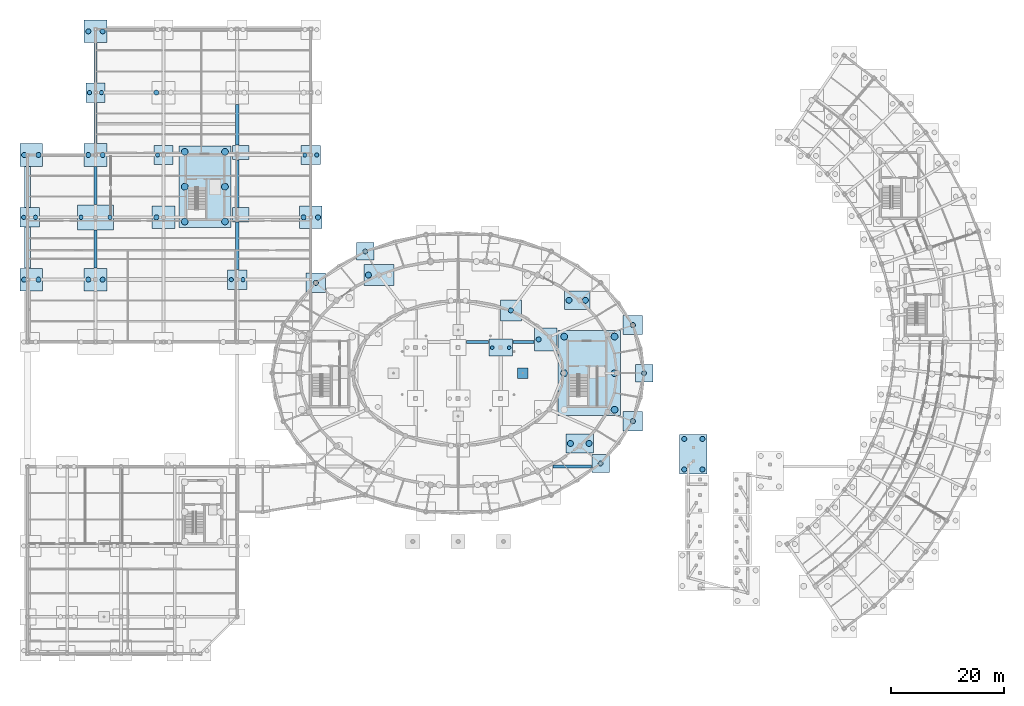
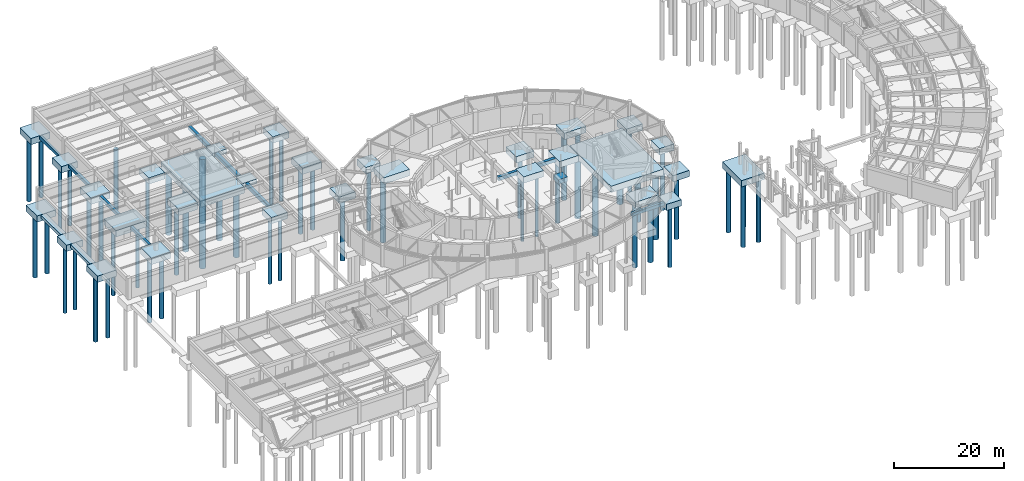
# One storey, part 3 of 42: 55 piles, 43 footings.
"""IFC4 building model written with IfcOpenShell, lengths in metres."""

import ifcopenshell
import ifcopenshell.guid

model = None  # the IFC model being written
_history = None  # IfcOwnerHistory: only IFC2X3 demands one
_inside = {}  # id of a spatial element -> (the spatial element, [elements in it])
_under = {}  # id of a project, library or spatial element -> (it, [spatial elements below it])
_declared = {}  # id of a project -> (the project, [libraries it declares])
_typed = {}  # id of a type object -> (the type object, [elements of that type])
_made_of = {}  # id of a material, layer set ... -> (it, [elements and type objects made of it])


def new_model(schema):
    """Start an empty IFC model of exactly this schema.

    Asked for "IFC4X3", IfcOpenShell would pick the latest addendum, in which some entities
    have other attributes; the version numbers below select the first issue.
    IFC2X3 requires an IfcOwnerHistory on every rooted entity: one is made here for all.
    """
    global model, _history
    if schema == "IFC4X3":
        model = ifcopenshell.file(schema_version=(4, 3, 0, 0))
    else:
        model = ifcopenshell.file(schema=schema)
    _inside.clear()
    _under.clear()
    _declared.clear()
    _typed.clear()
    _made_of.clear()
    _history = None
    if model.schema == "IFC2X3":
        org = make("IfcOrganization", Name="unknown")
        user = make(
            "IfcPersonAndOrganization",
            ThePerson=make("IfcPerson", FamilyName="unknown"),
            TheOrganization=org,
        )
        app = make(
            "IfcApplication",
            ApplicationDeveloper=org,
            Version="unknown",
            ApplicationFullName="unknown",
            ApplicationIdentifier="unknown",
        )
        _history = make(
            "IfcOwnerHistory",
            OwningUser=user,
            OwningApplication=app,
            ChangeAction="ADDED",
            CreationDate=0,
        )
    return model


def make(cls, **values):
    """One entity of the class cls with the attributes given. An attribute that is None is left unset."""
    return model.create_entity(
        cls, **{name: value for name, value in values.items() if value is not None}
    )


def rooted(cls, **values):
    """An entity with a GlobalId (a new one), such as an element, a storey or a relation."""
    return make(cls, GlobalId=ifcopenshell.guid.new(), OwnerHistory=_history, **values)


def si_unit(unit_type, name, prefix=None):
    """IfcSIUnit, for example si_unit("LENGTHUNIT", "METRE", prefix="MILLI")."""
    return make("IfcSIUnit", UnitType=unit_type, Prefix=prefix, Name=name)


def assignment(units):
    """IfcUnitAssignment: the units of a project."""
    return None if units is None else make("IfcUnitAssignment", Units=units)


def point(xyz):
    """IfcCartesianPoint."""
    return None if xyz is None else make("IfcCartesianPoint", Coordinates=xyz)


def direction(xyz):
    """IfcDirection."""
    return None if xyz is None else make("IfcDirection", DirectionRatios=xyz)


def frame(location, z_axis=None, x_axis=None):
    """IfcAxis2Placement3D, a coordinate frame: its origin and axes. An axis left out is left unset."""
    return make(
        "IfcAxis2Placement3D",
        Location=point(location),
        Axis=direction(z_axis),
        RefDirection=direction(x_axis),
    )


def frame_2d(location, x_axis=None):
    """IfcAxis2Placement2D, a coordinate frame in the plane: its origin and x axis."""
    return make(
        "IfcAxis2Placement2D", Location=point(location), RefDirection=direction(x_axis)
    )


def origin():
    """The frame at (0, 0, 0) with its axes left unset."""
    return frame((0.0, 0.0, 0.0))


def origin_2d():
    """The frame at (0, 0) in the plane with its x axis left unset."""
    return frame_2d((0.0, 0.0))


def place(relative_to, where):
    """IfcLocalPlacement: puts the frame where relative to a parent placement (None: the world)."""
    return make(
        "IfcLocalPlacement", PlacementRelTo=relative_to, RelativePlacement=where
    )


def context(
    kind, dimensions, precision=None, world=None, true_north=None, identifier=None
):
    """IfcGeometricRepresentationContext, for example the 3D "Model" context."""
    return make(
        "IfcGeometricRepresentationContext",
        ContextIdentifier=identifier,
        ContextType=kind,
        CoordinateSpaceDimension=dimensions,
        Precision=precision,
        WorldCoordinateSystem=world,
        TrueNorth=true_north,
    )


def subcontext(parent, identifier, kind, view, scale=None):
    """IfcGeometricRepresentationSubContext, for example "Body" below "Model"."""
    return make(
        "IfcGeometricRepresentationSubContext",
        ContextIdentifier=identifier,
        ContextType=kind,
        ParentContext=parent,
        TargetScale=scale,
        TargetView=view,
    )


def project(units=None, contexts=None):
    """IfcProject with its units and contexts."""
    return rooted(
        "IfcProject",
        Name="project",
        RepresentationContexts=contexts,
        UnitsInContext=assignment(units),
    )


def spatial(cls, under=None, at=None, **own):
    """A site, building, storey or space (cls), placed at a placement, below another one or the project."""
    s = rooted(cls, ObjectPlacement=at, **own)
    if under is not None:
        _under.setdefault(under.id(), (under, []))[1].append(s)
    return s


def polyline(points):
    """IfcPolyline through the points."""
    return make("IfcPolyline", Points=[point(p) for p in points])


def profile(cls, at=None, kind="AREA", **sizes):
    """A parametric profile (cls). Its sizes go by their IFC names, for example OverallWidth=200.0."""
    return make(cls, ProfileType=kind, Position=at, **sizes)


def rectangle(**sizes):
    """IfcRectangleProfileDef."""
    return profile("IfcRectangleProfileDef", **sizes)


def circle(**sizes):
    """IfcCircleProfileDef."""
    return profile("IfcCircleProfileDef", **sizes)


def outline(outer, holes=None, kind="AREA"):
    """IfcArbitraryClosedProfileDef: a profile drawn as a closed curve; with holes, ...WithVoids."""
    if holes is None:
        return make("IfcArbitraryClosedProfileDef", ProfileType=kind, OuterCurve=outer)
    return make(
        "IfcArbitraryProfileDefWithVoids",
        ProfileType=kind,
        OuterCurve=outer,
        InnerCurves=holes,
    )


def extrude(swept, where, along, depth):
    """IfcExtrudedAreaSolid: the profile swept, set in the frame where, extruded along a direction by depth."""
    return make(
        "IfcExtrudedAreaSolid",
        SweptArea=swept,
        Position=where,
        ExtrudedDirection=direction(along),
        Depth=depth,
    )


def shape(context_of_items, identifier, shape_type, items):
    """IfcShapeRepresentation: the items that make up one representation, for example the "Body"."""
    return make(
        "IfcShapeRepresentation",
        ContextOfItems=context_of_items,
        RepresentationIdentifier=identifier,
        RepresentationType=shape_type,
        Items=items,
    )


def material(Name=None, Category=None):
    """IfcMaterial."""
    return make("IfcMaterial", Name=Name, Category=Category)


def material_profile(
    of_material, cross_section, Name=None, Category=None, Priority=None
):
    """IfcMaterialProfile: a cross section and its material."""
    return make(
        "IfcMaterialProfile",
        Name=Name,
        Material=of_material,
        Profile=cross_section,
        Priority=Priority,
        Category=Category,
    )


def profile_set(profiles, Name=None, composite=None):
    """IfcMaterialProfileSet."""
    return make(
        "IfcMaterialProfileSet",
        Name=Name,
        MaterialProfiles=profiles,
        CompositeProfile=composite,
    )


def made_of(thing, what):
    """Note that an element or type object is made of a material, layer set ...; save() writes the relation."""
    if what is not None:
        _made_of.setdefault(what.id(), (what, []))[1].append(thing)
    return thing


def type_object(cls, material=None, **own):
    """A type object (cls), such as IfcWallType, which elements share."""
    return made_of(rooted(cls, **own), material)


def element(
    cls,
    number,
    at=None,
    inside=None,
    cuts=None,
    type_object=None,
    material=None,
    context=None,
    identifier="Body",
    shape_type=None,
    held_by="IfcProductDefinitionShape",
    body=None,
    shapes=None,
    **own,
):
    """One element of the class cls, such as IfcWall. Its Tag is "e" and its number.

    at: its placement. inside: the storey or other place that contains it. cuts: it is an
    opening in that element (IfcRelVoidsElement). A single representation is given by context,
    identifier, shape_type and body (its items); several are given by shapes. held_by: the class
    of the entity that holds the representations. save() writes the other relations.
    """
    e = rooted(cls, Tag="e%d" % number, ObjectPlacement=at, **own)
    if body is not None:
        shapes = [shape(context, identifier, shape_type, body)]
    if shapes is not None:
        e.Representation = make(held_by, Representations=shapes)
    if inside is not None:
        _inside.setdefault(inside.id(), (inside, []))[1].append(e)
    if cuts is not None:
        rooted(
            "IfcRelVoidsElement", RelatingBuildingElement=cuts, RelatedOpeningElement=e
        )
    if type_object is not None:
        _typed.setdefault(type_object.id(), (type_object, []))[1].append(e)
    return made_of(e, material)


def aggregate(whole, parts):
    """IfcRelAggregates: a whole, such as a stair, and the parts it consists of."""
    return rooted("IfcRelAggregates", RelatingObject=whole, RelatedObjects=parts)


def save(model, path):
    """Write the relations noted so far, then the file.

    IfcRelAggregates (storeys below a building ...), IfcRelContainedInSpatialStructure (elements
    in a storey), IfcRelDefinesByType, IfcRelAssociatesMaterial and IfcRelDeclares: one each for
    every whole, place, type object, material and project.
    """
    for whole, parts in _under.values():
        aggregate(whole, parts)
    for where, things in _inside.values():
        rooted(
            "IfcRelContainedInSpatialStructure",
            RelatedElements=things,
            RelatingStructure=where,
        )
    for kind, things in _typed.values():
        rooted("IfcRelDefinesByType", RelatedObjects=things, RelatingType=kind)
    for what, things in _made_of.values():
        rooted("IfcRelAssociatesMaterial", RelatedObjects=things, RelatingMaterial=what)
    for by, libraries in _declared.values():
        rooted("IfcRelDeclares", RelatingContext=by, RelatedDefinitions=libraries)
    model.write(path)


model = new_model("IFC4")

# Units and contexts
model_context = context("Model", 3, precision=1e-05, world=origin(), true_north=direction((0.0, 1.0)))
body_context = subcontext(model_context, "Body", "Model", "MODEL_VIEW")
ifc_project = project(units=[si_unit("LENGTHUNIT", "METRE"), si_unit("AREAUNIT", "SQUARE_METRE"), si_unit("VOLUMEUNIT", "CUBIC_METRE"), si_unit("PLANEANGLEUNIT", "RADIAN"), si_unit("MASSUNIT", "GRAM", prefix="KILO")], contexts=[model_context])

# Site, building, storey
site_placement = place(None, origin())
site = spatial("IfcSite", under=ifc_project, at=site_placement, CompositionType="ELEMENT")
building_placement = place(site_placement, origin())
building = spatial("IfcBuilding", under=site, at=building_placement, Name="Tarnveldt Headland Concert Hall", CompositionType="ELEMENT")
storey_placement = place(building_placement, frame((0.0, 0.0, -4.800048828125)))
storey = spatial("IfcBuildingStorey", under=building, at=storey_placement, Name="B1", CompositionType="ELEMENT", Elevation=-4.800048828125)

# Footings
ifc_material = material(Name="Concrete C40/50", Category="concrete")
footing_type_1 = type_object("IfcFootingType", Name="FB-01", PredefinedType="FOOTING_BEAM", material=ifc_material)
footing_1_placement = place(storey_placement, frame((0.0, 0.0, -0.699951171875)))
element("IfcFooting", 1, at=footing_1_placement, inside=storey, type_object=footing_type_1, Name="Foundation tie beam 11", PredefinedType="FOOTING_BEAM", context=body_context, shape_type="SweptSolid", body=[
    extrude(outline(polyline([(107.0263671875, 37.75), (107.0263671875, 38.25), (100.199951171875, 38.25), (100.199951171875, 37.75), (107.0263671875, 37.75)])), origin(), (0.0, 0.0, 1.0), 0.699951171875),
])
footing_2_placement = place(storey_placement, frame((0.0, 0.0, -0.699951171875)))
element("IfcFooting", 2, at=footing_2_placement, inside=storey, type_object=footing_type_1, Name="Foundation strip beam 31", PredefinedType="FOOTING_BEAM", context=body_context, shape_type="SweptSolid", body=[
    extrude(outline(polyline([(19.75, 73.050048828125), (19.75, 79.75), (19.25, 79.75), (19.25, 73.050048828125), (19.75, 73.050048828125)])), origin(), (0.0, 0.0, 1.0), 0.699951171875),
])
footing_3_placement = place(storey_placement, frame((0.0, 0.0, -0.699951171875)))
element("IfcFooting", 3, at=footing_3_placement, inside=storey, type_object=footing_type_1, Name="Foundation strip beam 32", PredefinedType="FOOTING_BEAM", context=body_context, shape_type="SweptSolid", body=[
    extrude(outline(polyline([(19.75, 84.25), (19.75, 90.949951171875), (19.25, 90.949951171875), (19.25, 84.25), (19.75, 84.25)])), origin(), (0.0, 0.0, 1.0), 0.699951171875),
])
footing_4_placement = place(storey_placement, frame((0.0, 0.0, -0.699951171875)))
element("IfcFooting", 4, at=footing_4_placement, inside=storey, type_object=footing_type_1, Name="Foundation strip beam 33", PredefinedType="FOOTING_BEAM", context=body_context, shape_type="SweptSolid", body=[
    extrude(outline(polyline([(19.75, 95.050048828125), (19.75, 102.25), (19.25, 102.25), (19.25, 95.050048828125), (19.75, 95.050048828125)])), origin(), (0.0, 0.0, 1.0), 0.699951171875),
])
footing_5_placement = place(storey_placement, frame((0.0, 0.0, -0.699951171875)))
element("IfcFooting", 5, at=footing_5_placement, inside=storey, type_object=footing_type_1, Name="Foundation strip beam 34", PredefinedType="FOOTING_BEAM", context=body_context, shape_type="SweptSolid", body=[
    extrude(outline(polyline([(19.75, 105.75), (19.75, 112.77001953125), (19.25, 112.77001953125), (19.25, 105.75), (19.75, 105.75)])), origin(), (0.0, 0.0, 1.0), 0.699951171875),
])
footing_type_2 = type_object("IfcFootingType", Name="FB-02", PredefinedType="FOOTING_BEAM", material=ifc_material)
footing_6_placement = place(storey_placement, frame((0.0, 0.0, -0.800048828125)))
element("IfcFooting", 6, at=footing_6_placement, inside=storey, type_object=footing_type_2, Name="Foundation tie beam 18", PredefinedType="FOOTING_BEAM", context=body_context, shape_type="SweptSolid", body=[
    extrude(outline(polyline([(88.85009765625, 59.699951171875), (88.85009765625, 60.300048828125), (84.949951171875, 60.300048828125), (84.949951171875, 59.699951171875), (88.85009765625, 59.699951171875)])), origin(), (0.0, 0.0, 1.0), 0.800048828125),
])
footing_7_placement = place(storey_placement, frame((0.0, 0.0, -0.800048828125)))
element("IfcFooting", 7, at=footing_7_placement, inside=storey, type_object=footing_type_2, Name="Foundation tie beam 19", PredefinedType="FOOTING_BEAM", context=body_context, shape_type="SweptSolid", body=[
    extrude(outline(polyline([(96.908203125, 59.699951171875), (96.908203125, 60.300048828125), (93.14990234375, 60.300048828125), (93.14990234375, 59.699951171875), (96.908203125, 59.699951171875)])), origin(), (0.0, 0.0, 1.0), 0.800048828125),
])
footing_8_placement = place(storey_placement, frame((0.0, 0.0, -0.800048828125)))
element("IfcFooting", 8, at=footing_8_placement, inside=storey, type_object=footing_type_2, Name="Foundation strip beam 39", PredefinedType="FOOTING_BEAM", context=body_context, shape_type="SweptSolid", body=[
    extrude(outline(polyline([(44.800048828125, 72.75), (44.800048828125, 81.14990234375), (44.199951171875, 81.14990234375), (44.199951171875, 72.75), (44.800048828125, 72.75)])), origin(), (0.0, 0.0, 1.0), 0.800048828125),
])
footing_9_placement = place(storey_placement, frame((0.0, 0.0, -0.800048828125)))
element("IfcFooting", 9, at=footing_9_placement, inside=storey, type_object=footing_type_2, Name="Foundation strip beam 40", PredefinedType="FOOTING_BEAM", context=body_context, shape_type="SweptSolid", body=[
    extrude(outline(polyline([(44.800048828125, 83.75), (44.800048828125, 92.14990234375), (44.199951171875, 92.14990234375), (44.199951171875, 83.75), (44.800048828125, 83.75)])), origin(), (0.0, 0.0, 1.0), 0.800048828125),
])
footing_10_placement = place(storey_placement, frame((0.0, 0.0, -0.800048828125)))
element("IfcFooting", 10, at=footing_10_placement, inside=storey, type_object=footing_type_2, Name="Foundation strip beam 41", PredefinedType="FOOTING_BEAM", context=body_context, shape_type="SweptSolid", body=[
    extrude(outline(polyline([(44.800048828125, 94.75), (44.800048828125, 101.949951171875), (44.199951171875, 101.949951171875), (44.199951171875, 94.75), (44.800048828125, 94.75)])), origin(), (0.0, 0.0, 1.0), 0.800048828125),
])
footing_type_3 = type_object("IfcFootingType", Name="PC-03", PredefinedType="PILE_CAP", material=ifc_material)
for number, where, z_axis, x_axis, name in (
    (11, (116.300048828125, 54.5, -1.39990234375), (0.0, 0.0, 1.0), (1.0, 0.0, 0.0), "Foundation V1C01"),
    (12, (67.10009765625, 75.977294921875, -1.39990234375), (0.0, 0.0, 1.0), (1.0, 0.0, 0.0), "Foundation V1C07"),
    (13, (108.626220703125, 38.558837890625, -1.39990234375), (0.0, 0.0, 1.0), (1.0, 0.0, 0.0), "Foundation V1C17"),
):
    element("IfcFooting", number, at=place(storey_placement, frame(where, z_axis=z_axis, x_axis=x_axis)), inside=storey, type_object=footing_type_3, Name=name, PredefinedType="PILE_CAP", context=body_context, shape_type="SweptSolid", body=[
        extrude(rectangle(XDim=3.10009765625, YDim=3.10009765625, at=origin_2d()), origin(), (0.0, 0.0, 1.0), 1.39990234375),
    ])
footing_type_4 = type_object("IfcFootingType", Name="PC-04", PredefinedType="PILE_CAP", material=ifc_material)
for number, where, z_axis, x_axis, name in (
    (14, (114.322021484375, 62.982177734375, -1.39990234375), (0.0, 0.0, 1.0), (1.0, 0.0, 0.0), "Foundation V1C02"),
    (15, (58.373779296875, 70.441162109375, -1.39990234375), (0.0, 0.0, 1.0), (1.0, 0.0, 0.0), "Foundation V1C08"),
    (16, (114.322021484375, 46.017822265625, -1.39990234375), (0.0, 0.0, 1.0), (1.0, 0.0, 0.0), "Foundation V1C18"),
    (17, (7.8798828125, 82.0, -1.39990234375), (0.0, 0.0, 1.0), (1.0, 0.0, 0.0), "Foundation V5C03"),
    (18, (19.5, 104.0, -1.39990234375), (0.0, 0.0, 1.0), (1.0, 0.0, 0.0), "Foundation V5C09"),
    (19, (31.5, 93.0, -1.39990234375), (0.0, 0.0, 1.0), (1.0, 0.0, 0.0), "Foundation V5C13"),
    (20, (44.5, 71.0, -1.39990234375), (0.0, 0.0, 1.0), (1.0, 0.0, 0.0), "Foundation V5C17"),
    (21, (57.5, 93.0, -1.39990234375), (0.0, 0.0, 1.0), (1.0, 0.0, 0.0), "Foundation V5C23"),
):
    element("IfcFooting", number, at=place(storey_placement, frame(where, z_axis=z_axis, x_axis=x_axis)), inside=storey, type_object=footing_type_4, Name=name, PredefinedType="PILE_CAP", context=body_context, shape_type="SweptSolid", body=[
        extrude(rectangle(XDim=3.39990234375, YDim=3.39990234375, at=origin_2d()), origin(), (0.0, 0.0, 1.0), 1.39990234375),
    ])
footing_type_5 = type_object("IfcFootingType", Name="PC-05", PredefinedType="PILE_CAP", material=ifc_material)
footing_11_placement = place(storey_placement, frame((92.800048828125, 65.585205078125, -1.39990234375), z_axis=(0.0, 0.0, 1.0), x_axis=(1.0, 0.0, 0.0)))
element("IfcFooting", 22, at=footing_11_placement, inside=storey, type_object=footing_type_5, Name="Foundation V2IC03", PredefinedType="PILE_CAP", context=body_context, shape_type="SweptSolid", body=[
    extrude(rectangle(XDim=3.699951171875, YDim=3.699951171875, at=origin_2d()), origin(), (0.0, 0.0, 1.0), 1.39990234375),
])
footing_type_6 = type_object("IfcFootingType", Name="PC-06", PredefinedType="PILE_CAP", material=ifc_material)
for number, where, z_axis, x_axis, name in (
    (23, (98.9580078125, 60.449951171875, -1.39990234375), (0.0, 0.0, 1.0), (1.0, 0.0, 0.0), "Foundation V2IC02"),
    (24, (8.179931640625, 71.0, -1.39990234375), (0.0, 0.0, 1.0), (1.0, 0.0, 0.0), "Foundation V5C02"),
    (25, (8.179931640625, 93.0, -1.39990234375), (0.0, 0.0, 1.0), (1.0, 0.0, 0.0), "Foundation V5C04"),
    (26, (19.5, 71.0, -1.39990234375), (0.0, 0.0, 1.0), (1.0, 0.0, 0.0), "Foundation V5C06"),
    (27, (19.5, 93.0, -1.39990234375), (0.0, 0.0, 1.0), (1.0, 0.0, 0.0), "Foundation V5C08"),
    (28, (19.5, 114.820068359375, -1.39990234375), (0.0, 0.0, 1.0), (1.0, 0.0, 0.0), "Foundation V5C10"),
    (29, (31.5, 82.0, -1.39990234375), (0.0, 0.0, 1.0), (1.0, 0.0, 0.0), "Foundation V5C12"),
    (30, (57.5, 82.0, -1.39990234375), (0.0, 0.0, 1.0), (1.0, 0.0, 0.0), "Foundation V5C22"),
):
    element("IfcFooting", number, at=place(storey_placement, frame(where, z_axis=z_axis, x_axis=x_axis)), inside=storey, type_object=footing_type_6, Name=name, PredefinedType="PILE_CAP", context=body_context, shape_type="SweptSolid", body=[
        extrude(rectangle(XDim=4.0, YDim=4.0, at=origin_2d()), origin(), (0.0, 0.0, 1.0), 1.39990234375),
    ])
footing_type_7 = type_object("IfcFootingType", Name="PC-07", PredefinedType="PILE_CAP", material=ifc_material)
footing_12_placement = place(storey_placement, frame((91.0, 59.0, -1.39990234375), z_axis=(0.0, 0.0, 1.0), x_axis=(1.0, 0.0, 0.0)))
element("IfcFooting", 31, at=footing_12_placement, inside=storey, type_object=footing_type_7, Name="Foundation V2STG06", PredefinedType="PILE_CAP", context=body_context, shape_type="SweptSolid", body=[
    extrude(rectangle(XDim=4.199951171875, YDim=3.0, at=origin_2d()), origin(), (0.0, 0.0, 1.0), 1.39990234375),
])
footing_type_8 = type_object("IfcFootingType", Name="PC-08", PredefinedType="PILE_CAP", material=ifc_material)
footing_13_placement = place(storey_placement, frame((104.499267578125, 67.355712890625, -1.39990234375), z_axis=(0.0, 0.0, 1.0), x_axis=(1.0, 0.0, 0.0)))
element("IfcFooting", 32, at=footing_13_placement, inside=storey, type_object=footing_type_8, Name="Foundation V2DC03", PredefinedType="PILE_CAP", context=body_context, shape_type="SweptSolid", body=[
    extrude(rectangle(XDim=4.5, YDim=3.199951171875, at=origin_2d()), origin(), (0.0, 0.0, 1.0), 1.39990234375),
])
footing_type_9 = type_object("IfcFootingType", Name="PC-09", PredefinedType="PILE_CAP", material=ifc_material)
footing_14_placement = place(storey_placement, frame((104.94921875, 42.09423828125, -1.39990234375), z_axis=(0.0, 0.0, 1.0), x_axis=(1.0, 0.0, 0.0)))
element("IfcFooting", 33, at=footing_14_placement, inside=storey, type_object=footing_type_9, Name="Foundation V2DC17", PredefinedType="PILE_CAP", context=body_context, shape_type="SweptSolid", body=[
    extrude(rectangle(XDim=4.89990234375, YDim=3.39990234375, at=origin_2d()), origin(), (0.0, 0.0, 1.0), 1.39990234375),
])
footing_type_10 = type_object("IfcFootingType", Name="PC-10", PredefinedType="PILE_CAP", material=ifc_material)
footing_15_placement = place(storey_placement, frame((69.5, 71.820556640625, -1.39990234375), z_axis=(0.0, 0.0, 1.0), x_axis=(1.0, 0.0, 0.0)))
element("IfcFooting", 34, at=footing_15_placement, inside=storey, type_object=footing_type_10, Name="Foundation V2DC07", PredefinedType="PILE_CAP", context=body_context, shape_type="SweptSolid", body=[
    extrude(rectangle(XDim=5.300048828125, YDim=3.699951171875, at=origin_2d()), origin(), (0.0, 0.0, 1.0), 1.39990234375),
])
footing_type_11 = type_object("IfcFootingType", Name="PC-12", PredefinedType="PILE_CAP", material=ifc_material)
footing_16_placement = place(storey_placement, frame((19.5, 82.0, -1.39990234375), z_axis=(0.0, 0.0, 1.0), x_axis=(1.0, 0.0, 0.0)))
element("IfcFooting", 35, at=footing_16_placement, inside=storey, type_object=footing_type_11, Name="Foundation V5C07", PredefinedType="PILE_CAP", context=body_context, shape_type="SweptSolid", body=[
    extrude(rectangle(XDim=6.39990234375, YDim=4.39990234375, at=origin_2d()), origin(), (0.0, 0.0, 1.0), 1.39990234375),
])
footing_type_12 = type_object("IfcFootingType", Name="PC-13", PredefinedType="PILE_CAP", material=ifc_material)
footing_17_placement = place(storey_placement, frame((125.0, 40.199951171875, -1.39990234375), z_axis=(0.0, 0.0, 1.0), x_axis=(1.0, 0.0, 0.0)))
element("IfcFooting", 36, at=footing_17_placement, inside=storey, type_object=footing_type_12, Name="Combined pile cap BRP01", PredefinedType="PILE_CAP", context=body_context, shape_type="SweptSolid", body=[
    extrude(rectangle(XDim=4.800048828125, YDim=7.0, at=origin_2d()), origin(), (0.0, 0.0, 1.0), 1.39990234375),
])
footing_type_13 = type_object("IfcFootingType", Name="PC-16", PredefinedType="PILE_CAP", material=ifc_material)
footing_18_placement = place(storey_placement, frame((106.64990234375, 54.5, -1.39990234375), z_axis=(0.0, 0.0, 1.0), x_axis=(1.0, 0.0, 0.0)))
element("IfcFooting", 37, at=footing_18_placement, inside=storey, type_object=footing_type_13, Name="Core C2 pile cap", PredefinedType="PILE_CAP", context=body_context, shape_type="SweptSolid", body=[
    extrude(rectangle(XDim=11.0, YDim=15.0, at=origin_2d()), origin(), (0.0, 0.0, 1.0), 1.39990234375),
])
footing_type_14 = type_object("IfcFootingType", Name="PC-17", PredefinedType="PILE_CAP", material=ifc_material)
footing_19_placement = place(storey_placement, frame((38.800048828125, 87.39990234375, -1.39990234375), z_axis=(0.0, 0.0, 1.0), x_axis=(1.0, 0.0, 0.0)))
element("IfcFooting", 38, at=footing_19_placement, inside=storey, type_object=footing_type_14, Name="Core C6 pile cap", PredefinedType="PILE_CAP", context=body_context, shape_type="SweptSolid", body=[
    extrude(rectangle(XDim=9.199951171875, YDim=14.39990234375, at=origin_2d()), origin(), (0.0, 0.0, 1.0), 1.39990234375),
])
footing_type_15 = type_object("IfcFootingType", Name="PF-01", PredefinedType="PAD_FOOTING", material=ifc_material)
footing_20_placement = place(storey_placement, frame((94.89990234375, 54.5, -1.0), z_axis=(0.0, 0.0, 1.0), x_axis=(1.0, 0.0, 0.0)))
element("IfcFooting", 39, at=footing_20_placement, inside=storey, type_object=footing_type_15, Name="Tier ring pad footing 1", PredefinedType="PAD_FOOTING", context=body_context, shape_type="SweptSolid", body=[
    extrude(rectangle(XDim=1.89990234375, YDim=1.89990234375, at=origin_2d()), origin(), (0.0, 0.0, 1.0), 1.0),
])
footing_type_16 = type_object("IfcFootingType", Name="PF-06", PredefinedType="PAD_FOOTING", material=ifc_material)
for number, where, z_axis, x_axis, name in (
    (40, (45.14990234375, 82.449951171875, -1.0), (0.0, 0.0, 1.0), (1.0, 0.0, 0.0), "Foundation V5C18"),
    (41, (45.14990234375, 93.449951171875, -1.0), (0.0, 0.0, 1.0), (1.0, 0.0, 0.0), "Foundation V5C19"),
):
    element("IfcFooting", number, at=place(storey_placement, frame(where, z_axis=z_axis, x_axis=x_axis)), inside=storey, type_object=footing_type_16, Name=name, PredefinedType="PAD_FOOTING", context=body_context, shape_type="SweptSolid", body=[
        extrude(rectangle(XDim=2.89990234375, YDim=2.5, at=origin_2d()), origin(), (0.0, 0.0, 1.0), 1.0),
    ])

# Piles
ifc_material_profile_1 = material_profile(ifc_material, circle(Radius=0.52490234375, at=origin_2d()), Name="BORED PILE D1050", Category="concrete")
ifc_profile_set_1 = profile_set([ifc_material_profile_1], Name="Concrete C40/50")
pile_type_1 = type_object("IfcPileType", Name="PL-1050", PredefinedType="BORED", material=ifc_profile_set_1)
for number, where, z_axis, x_axis, name in (
    (42, (103.05419921875, 67.355712890625, -1.300048828125), (0.0, 0.0, -1.0), (1.0, 0.0, 0.0), "Bored pile PILE-V2DC03-01"),
    (43, (105.944091796875, 67.355712890625, -1.300048828125), (0.0, 0.0, -1.0), (1.0, 0.0, 0.0), "Bored pile PILE-V2DC03-02"),
):
    element("IfcPile", number, at=place(storey_placement, frame(where, z_axis=z_axis, x_axis=x_axis)), inside=storey, type_object=pile_type_1, Name=name, PredefinedType="BORED", context=body_context, shape_type="SweptSolid", body=[
        extrude(circle(Radius=0.52490234375, at=origin_2d()), origin(), (0.0, 0.0, 1.0), 14.5),
    ])
for number, where, z_axis, x_axis, name in (
    (44, (67.655029296875, 71.820556640625, -1.300048828125), (0.0, 0.0, -1.0), (1.0, 0.0, 0.0), "Bored pile PILE-V2DC07-01"),
    (45, (103.30419921875, 42.09423828125, -1.300048828125), (0.0, 0.0, -1.0), (1.0, 0.0, 0.0), "Bored pile PILE-V2DC17-01"),
    (46, (106.59423828125, 42.09423828125, -1.300048828125), (0.0, 0.0, -1.0), (1.0, 0.0, 0.0), "Bored pile PILE-V2DC17-02"),
):
    element("IfcPile", number, at=place(storey_placement, frame(where, z_axis=z_axis, x_axis=x_axis)), inside=storey, type_object=pile_type_1, Name=name, PredefinedType="BORED", context=body_context, shape_type="SweptSolid", body=[
        extrude(circle(Radius=0.52490234375, at=origin_2d()), origin(), (0.0, 0.0, 1.0), 14.199951171875),
    ])
ifc_material_profile_2 = material_profile(ifc_material, circle(Radius=0.60009765625, at=origin_2d()), Name="BORED PILE D1200", Category="concrete")
ifc_profile_set_2 = profile_set([ifc_material_profile_2], Name="Concrete C40/50")
pile_type_2 = type_object("IfcPileType", Name="PL-1200", PredefinedType="BORED", material=ifc_profile_set_2)
for number, where, z_axis, x_axis, name in (
    (47, (111.10009765625, 48.050048828125, -1.300048828125), (0.0, 0.0, -1.0), (1.0, 0.0, 0.0), "Bored pile PILE-C2-02"),
    (48, (102.199951171875, 54.5, -1.300048828125), (0.0, 0.0, -1.0), (1.0, 0.0, 0.0), "Bored pile PILE-C2-03"),
    (49, (111.10009765625, 54.5, -1.300048828125), (0.0, 0.0, -1.0), (1.0, 0.0, 0.0), "Bored pile PILE-C2-04"),
    (50, (102.199951171875, 60.949951171875, -1.300048828125), (0.0, 0.0, -1.0), (1.0, 0.0, 0.0), "Bored pile PILE-C2-05"),
    (51, (111.10009765625, 60.949951171875, -1.300048828125), (0.0, 0.0, -1.0), (1.0, 0.0, 0.0), "Bored pile PILE-C2-06"),
    (52, (35.25, 81.25, -1.300048828125), (0.0, 0.0, -1.0), (1.0, 0.0, 0.0), "Bored pile PILE-C6-01"),
    (53, (42.35009765625, 81.25, -1.300048828125), (0.0, 0.0, -1.0), (1.0, 0.0, 0.0), "Bored pile PILE-C6-02"),
    (54, (35.25, 87.39990234375, -1.300048828125), (0.0, 0.0, -1.0), (1.0, 0.0, 0.0), "Bored pile PILE-C6-03"),
    (55, (42.35009765625, 87.39990234375, -1.300048828125), (0.0, 0.0, -1.0), (1.0, 0.0, 0.0), "Bored pile PILE-C6-04"),
    (56, (35.25, 93.550048828125, -1.300048828125), (0.0, 0.0, -1.0), (1.0, 0.0, 0.0), "Bored pile PILE-C6-05"),
    (57, (42.35009765625, 93.550048828125, -1.300048828125), (0.0, 0.0, -1.0), (1.0, 0.0, 0.0), "Bored pile PILE-C6-06"),
):
    element("IfcPile", number, at=place(storey_placement, frame(where, z_axis=z_axis, x_axis=x_axis)), inside=storey, type_object=pile_type_2, Name=name, PredefinedType="BORED", context=body_context, shape_type="SweptSolid", body=[
        extrude(circle(Radius=0.60009765625, at=origin_2d()), origin(), (0.0, 0.0, 1.0), 14.300048828125),
    ])
ifc_material_profile_3 = material_profile(ifc_material, circle(Radius=0.324951171875, at=origin_2d()), Name="BORED PILE D650", Category="concrete")
ifc_profile_set_3 = profile_set([ifc_material_profile_3], Name="Concrete C40/50")
pile_type_3 = type_object("IfcPileType", Name="PL-650", PredefinedType="BORED", material=ifc_profile_set_3)
for number, where, z_axis, x_axis, name in (
    (58, (89.5048828125, 59.0, -1.300048828125), (0.0, 0.0, -1.0), (1.0, 0.0, 0.0), "Bored pile PILE-V2STG06-01"),
    (59, (92.4951171875, 59.0, -1.300048828125), (0.0, 0.0, -1.0), (1.0, 0.0, 0.0), "Bored pile PILE-V2STG06-02"),
):
    element("IfcPile", number, at=place(storey_placement, frame(where, z_axis=z_axis, x_axis=x_axis)), inside=storey, type_object=pile_type_3, Name=name, PredefinedType="BORED", context=body_context, shape_type="SweptSolid", body=[
        extrude(circle(Radius=0.324951171875, at=origin_2d()), origin(), (0.0, 0.0, 1.0), 13.89990234375),
    ])
ifc_material_profile_4 = material_profile(ifc_material, circle(Radius=0.375, at=origin_2d()), Name="BORED PILE D750", Category="concrete")
ifc_profile_set_4 = profile_set([ifc_material_profile_4], Name="Concrete C40/50")
pile_type_4 = type_object("IfcPileType", Name="PL-750", PredefinedType="BORED", material=ifc_profile_set_4)
for number, where, z_axis, x_axis, name in (
    (60, (6.8349609375, 82.0, -1.300048828125), (0.0, 0.0, -1.0), (1.0, 0.0, 0.0), "Bored pile PILE-V5C03-01"),
    (61, (8.925048828125, 82.0, -1.300048828125), (0.0, 0.0, -1.0), (1.0, 0.0, 0.0), "Bored pile PILE-V5C03-02"),
):
    element("IfcPile", number, at=place(storey_placement, frame(where, z_axis=z_axis, x_axis=x_axis)), inside=storey, type_object=pile_type_4, Name=name, PredefinedType="BORED", context=body_context, shape_type="SweptSolid", body=[
        extrude(circle(Radius=0.375, at=origin_2d()), origin(), (0.0, 0.0, 1.0), 14.800048828125),
    ])
for number, where, z_axis, x_axis, name in (
    (62, (16.955078125, 82.0, -1.300048828125), (0.0, 0.0, -1.0), (1.0, 0.0, 0.0), "Bored pile PILE-V5C07-01"),
    (63, (22.044921875, 82.0, -1.300048828125), (0.0, 0.0, -1.0), (1.0, 0.0, 0.0), "Bored pile PILE-V5C07-02"),
):
    element("IfcPile", number, at=place(storey_placement, frame(where, z_axis=z_axis, x_axis=x_axis)), inside=storey, type_object=pile_type_4, Name=name, PredefinedType="BORED", context=body_context, shape_type="SweptSolid", body=[
        extrude(circle(Radius=0.375, at=origin_2d()), origin(), (0.0, 0.0, 1.0), 14.5),
    ])
for number, where, z_axis, x_axis, name in (
    (64, (18.455078125, 104.0, -1.300048828125), (0.0, 0.0, -1.0), (1.0, 0.0, 0.0), "Bored pile PILE-V5C09-01"),
    (65, (20.544921875, 104.0, -1.300048828125), (0.0, 0.0, -1.0), (1.0, 0.0, 0.0), "Bored pile PILE-V5C09-02"),
):
    element("IfcPile", number, at=place(storey_placement, frame(where, z_axis=z_axis, x_axis=x_axis)), inside=storey, type_object=pile_type_4, Name=name, PredefinedType="BORED", context=body_context, shape_type="SweptSolid", body=[
        extrude(circle(Radius=0.375, at=origin_2d()), origin(), (0.0, 0.0, 1.0), 13.60009765625),
    ])
pile_1_placement = place(storey_placement, frame((30.455078125, 93.0, -1.300048828125), z_axis=(0.0, 0.0, -1.0), x_axis=(1.0, 0.0, 0.0)))
element("IfcPile", 66, at=pile_1_placement, inside=storey, type_object=pile_type_4, Name="Bored pile PILE-V5C13-01", PredefinedType="BORED", context=body_context, shape_type="SweptSolid", body=[
    extrude(circle(Radius=0.375, at=origin_2d()), origin(), (0.0, 0.0, 1.0), 14.800048828125),
])
for number, where, z_axis, x_axis, name in (
    (67, (43.455078125, 71.0, -1.300048828125), (0.0, 0.0, -1.0), (1.0, 0.0, 0.0), "Bored pile PILE-V5C17-01"),
    (68, (45.544921875, 71.0, -1.300048828125), (0.0, 0.0, -1.0), (1.0, 0.0, 0.0), "Bored pile PILE-V5C17-02"),
):
    element("IfcPile", number, at=place(storey_placement, frame(where, z_axis=z_axis, x_axis=x_axis)), inside=storey, type_object=pile_type_4, Name=name, PredefinedType="BORED", context=body_context, shape_type="SweptSolid", body=[
        extrude(circle(Radius=0.375, at=origin_2d()), origin(), (0.0, 0.0, 1.0), 14.5),
    ])
for number, where, z_axis, x_axis, name in (
    (69, (56.455078125, 93.0, -1.300048828125), (0.0, 0.0, -1.0), (1.0, 0.0, 0.0), "Bored pile PILE-V5C23-01"),
    (70, (58.544921875, 93.0, -1.300048828125), (0.0, 0.0, -1.0), (1.0, 0.0, 0.0), "Bored pile PILE-V5C23-02"),
):
    element("IfcPile", number, at=place(storey_placement, frame(where, z_axis=z_axis, x_axis=x_axis)), inside=storey, type_object=pile_type_4, Name=name, PredefinedType="BORED", context=body_context, shape_type="SweptSolid", body=[
        extrude(circle(Radius=0.375, at=origin_2d()), origin(), (0.0, 0.0, 1.0), 14.800048828125),
    ])
ifc_material_profile_5 = material_profile(ifc_material, circle(Radius=0.425048828125, at=origin_2d()), Name="BORED PILE D850", Category="concrete")
ifc_profile_set_5 = profile_set([ifc_material_profile_5], Name="Concrete C40/50")
pile_type_5 = type_object("IfcPileType", Name="PL-850", PredefinedType="BORED", material=ifc_profile_set_5)
pile_2_placement = place(storey_placement, frame((116.300048828125, 54.5, -1.300048828125), z_axis=(0.0, 0.0, -1.0), x_axis=(1.0, 0.0, 0.0)))
element("IfcPile", 71, at=pile_2_placement, inside=storey, type_object=pile_type_5, Name="Bored pile PILE-V1C01-01", PredefinedType="BORED", context=body_context, shape_type="SweptSolid", body=[
    extrude(circle(Radius=0.425048828125, at=origin_2d()), origin(), (0.0, 0.0, 1.0), 13.60009765625),
])
for number, where, z_axis, x_axis, name in (
    (72, (67.10009765625, 75.977294921875, -1.300048828125), (0.0, 0.0, -1.0), (1.0, 0.0, 0.0), "Bored pile PILE-V1C07-01"),
    (73, (108.626220703125, 38.558837890625, -1.300048828125), (0.0, 0.0, -1.0), (1.0, 0.0, 0.0), "Bored pile PILE-V1C17-01"),
):
    element("IfcPile", number, at=place(storey_placement, frame(where, z_axis=z_axis, x_axis=x_axis)), inside=storey, type_object=pile_type_5, Name=name, PredefinedType="BORED", context=body_context, shape_type="SweptSolid", body=[
        extrude(circle(Radius=0.425048828125, at=origin_2d()), origin(), (0.0, 0.0, 1.0), 13.89990234375),
    ])
ifc_material_profile_6 = material_profile(ifc_material, circle(Radius=0.449951171875, at=origin_2d()), Name="BORED PILE D900", Category="concrete")
ifc_profile_set_6 = profile_set([ifc_material_profile_6], Name="Concrete C40/50")
pile_type_6 = type_object("IfcPileType", Name="PL-900", PredefinedType="BORED", material=ifc_profile_set_6)
for number, where, z_axis, x_axis, name in (
    (74, (123.39990234375, 37.5, -1.300048828125), (0.0, 0.0, -1.0), (1.0, 0.0, 0.0), "Bored pile PILE-BRP01-01"),
    (75, (126.60009765625, 37.5, -1.300048828125), (0.0, 0.0, -1.0), (1.0, 0.0, 0.0), "Bored pile PILE-BRP01-02"),
    (76, (123.39990234375, 42.89990234375, -1.300048828125), (0.0, 0.0, -1.0), (1.0, 0.0, 0.0), "Bored pile PILE-BRP01-03"),
    (77, (126.60009765625, 42.89990234375, -1.300048828125), (0.0, 0.0, -1.0), (1.0, 0.0, 0.0), "Bored pile PILE-BRP01-04"),
):
    element("IfcPile", number, at=place(storey_placement, frame(where, z_axis=z_axis, x_axis=x_axis)), inside=storey, type_object=pile_type_6, Name=name, PredefinedType="BORED", context=body_context, shape_type="SweptSolid", body=[
        extrude(circle(Radius=0.449951171875, at=origin_2d()), origin(), (0.0, 0.0, 1.0), 14.0),
    ])
pile_3_placement = place(storey_placement, frame((114.322021484375, 62.982177734375, -1.300048828125), z_axis=(0.0, 0.0, -1.0), x_axis=(1.0, 0.0, 0.0)))
element("IfcPile", 78, at=pile_3_placement, inside=storey, type_object=pile_type_6, Name="Bored pile PILE-V1C02-01", PredefinedType="BORED", context=body_context, shape_type="SweptSolid", body=[
    extrude(circle(Radius=0.449951171875, at=origin_2d()), origin(), (0.0, 0.0, 1.0), 13.89990234375),
])
for number, where, z_axis, x_axis, name in (
    (79, (58.373779296875, 70.441162109375, -1.300048828125), (0.0, 0.0, -1.0), (1.0, 0.0, 0.0), "Bored pile PILE-V1C08-01"),
    (80, (114.322021484375, 46.017822265625, -1.300048828125), (0.0, 0.0, -1.0), (1.0, 0.0, 0.0), "Bored pile PILE-V1C18-01"),
):
    element("IfcPile", number, at=place(storey_placement, frame(where, z_axis=z_axis, x_axis=x_axis)), inside=storey, type_object=pile_type_6, Name=name, PredefinedType="BORED", context=body_context, shape_type="SweptSolid", body=[
        extrude(circle(Radius=0.449951171875, at=origin_2d()), origin(), (0.0, 0.0, 1.0), 14.199951171875),
    ])
pile_4_placement = place(storey_placement, frame((97.68798828125, 60.449951171875, -1.300048828125), z_axis=(0.0, 0.0, -1.0), x_axis=(1.0, 0.0, 0.0)))
element("IfcPile", 81, at=pile_4_placement, inside=storey, type_object=pile_type_6, Name="Bored pile PILE-V2IC02-01", PredefinedType="BORED", context=body_context, shape_type="SweptSolid", body=[
    extrude(circle(Radius=0.449951171875, at=origin_2d()), origin(), (0.0, 0.0, 1.0), 13.60009765625),
])
pile_5_placement = place(storey_placement, frame((92.800048828125, 65.585205078125, -1.300048828125), z_axis=(0.0, 0.0, -1.0), x_axis=(1.0, 0.0, 0.0)))
element("IfcPile", 82, at=pile_5_placement, inside=storey, type_object=pile_type_6, Name="Bored pile PILE-V2IC03-01", PredefinedType="BORED", context=body_context, shape_type="SweptSolid", body=[
    extrude(circle(Radius=0.449951171875, at=origin_2d()), origin(), (0.0, 0.0, 1.0), 13.89990234375),
])
for number, where, z_axis, x_axis, name in (
    (83, (6.909912109375, 71.0, -1.300048828125), (0.0, 0.0, -1.0), (1.0, 0.0, 0.0), "Bored pile PILE-V5C02-01"),
    (84, (9.449951171875, 71.0, -1.300048828125), (0.0, 0.0, -1.0), (1.0, 0.0, 0.0), "Bored pile PILE-V5C02-02"),
):
    element("IfcPile", number, at=place(storey_placement, frame(where, z_axis=z_axis, x_axis=x_axis)), inside=storey, type_object=pile_type_6, Name=name, PredefinedType="BORED", context=body_context, shape_type="SweptSolid", body=[
        extrude(circle(Radius=0.449951171875, at=origin_2d()), origin(), (0.0, 0.0, 1.0), 14.5),
    ])
for number, where, z_axis, x_axis, name in (
    (85, (6.909912109375, 93.0, -1.300048828125), (0.0, 0.0, -1.0), (1.0, 0.0, 0.0), "Bored pile PILE-V5C04-01"),
    (86, (9.449951171875, 93.0, -1.300048828125), (0.0, 0.0, -1.0), (1.0, 0.0, 0.0), "Bored pile PILE-V5C04-02"),
):
    element("IfcPile", number, at=place(storey_placement, frame(where, z_axis=z_axis, x_axis=x_axis)), inside=storey, type_object=pile_type_6, Name=name, PredefinedType="BORED", context=body_context, shape_type="SweptSolid", body=[
        extrude(circle(Radius=0.449951171875, at=origin_2d()), origin(), (0.0, 0.0, 1.0), 13.60009765625),
    ])
for number, where, z_axis, x_axis, name in (
    (87, (18.22998046875, 71.0, -1.300048828125), (0.0, 0.0, -1.0), (1.0, 0.0, 0.0), "Bored pile PILE-V5C06-01"),
    (88, (20.77001953125, 71.0, -1.300048828125), (0.0, 0.0, -1.0), (1.0, 0.0, 0.0), "Bored pile PILE-V5C06-02"),
):
    element("IfcPile", number, at=place(storey_placement, frame(where, z_axis=z_axis, x_axis=x_axis)), inside=storey, type_object=pile_type_6, Name=name, PredefinedType="BORED", context=body_context, shape_type="SweptSolid", body=[
        extrude(circle(Radius=0.449951171875, at=origin_2d()), origin(), (0.0, 0.0, 1.0), 14.199951171875),
    ])
for number, where, z_axis, x_axis, name in (
    (89, (18.22998046875, 93.0, -1.300048828125), (0.0, 0.0, -1.0), (1.0, 0.0, 0.0), "Bored pile PILE-V5C08-01"),
    (90, (20.77001953125, 93.0, -1.300048828125), (0.0, 0.0, -1.0), (1.0, 0.0, 0.0), "Bored pile PILE-V5C08-02"),
):
    element("IfcPile", number, at=place(storey_placement, frame(where, z_axis=z_axis, x_axis=x_axis)), inside=storey, type_object=pile_type_6, Name=name, PredefinedType="BORED", context=body_context, shape_type="SweptSolid", body=[
        extrude(circle(Radius=0.449951171875, at=origin_2d()), origin(), (0.0, 0.0, 1.0), 14.800048828125),
    ])
for number, where, z_axis, x_axis, name in (
    (91, (18.22998046875, 114.820068359375, -1.300048828125), (0.0, 0.0, -1.0), (1.0, 0.0, 0.0), "Bored pile PILE-V5C10-01"),
    (92, (20.77001953125, 114.820068359375, -1.300048828125), (0.0, 0.0, -1.0), (1.0, 0.0, 0.0), "Bored pile PILE-V5C10-02"),
):
    element("IfcPile", number, at=place(storey_placement, frame(where, z_axis=z_axis, x_axis=x_axis)), inside=storey, type_object=pile_type_6, Name=name, PredefinedType="BORED", context=body_context, shape_type="SweptSolid", body=[
        extrude(circle(Radius=0.449951171875, at=origin_2d()), origin(), (0.0, 0.0, 1.0), 13.89990234375),
    ])
pile_6_placement = place(storey_placement, frame((30.22998046875, 82.0, -1.300048828125), z_axis=(0.0, 0.0, -1.0), x_axis=(1.0, 0.0, 0.0)))
element("IfcPile", 93, at=pile_6_placement, inside=storey, type_object=pile_type_6, Name="Bored pile PILE-V5C12-01", PredefinedType="BORED", context=body_context, shape_type="SweptSolid", body=[
    extrude(circle(Radius=0.449951171875, at=origin_2d()), origin(), (0.0, 0.0, 1.0), 14.5),
])
pile_7_placement = place(storey_placement, frame((30.22998046875, 104.0, -1.300048828125), z_axis=(0.0, 0.0, -1.0), x_axis=(1.0, 0.0, 0.0)))
element("IfcPile", 94, at=pile_7_placement, inside=storey, type_object=pile_type_6, Name="Bored pile PILE-V5C14-01", PredefinedType="BORED", context=body_context, shape_type="SweptSolid", body=[
    extrude(circle(Radius=0.449951171875, at=origin_2d()), origin(), (0.0, 0.0, 1.0), 13.60009765625),
])
for number, where, z_axis, x_axis, name in (
    (95, (56.22998046875, 82.0, -1.300048828125), (0.0, 0.0, -1.0), (1.0, 0.0, 0.0), "Bored pile PILE-V5C22-01"),
    (96, (58.77001953125, 82.0, -1.300048828125), (0.0, 0.0, -1.0), (1.0, 0.0, 0.0), "Bored pile PILE-V5C22-02"),
):
    element("IfcPile", number, at=place(storey_placement, frame(where, z_axis=z_axis, x_axis=x_axis)), inside=storey, type_object=pile_type_6, Name=name, PredefinedType="BORED", context=body_context, shape_type="SweptSolid", body=[
        extrude(circle(Radius=0.449951171875, at=origin_2d()), origin(), (0.0, 0.0, 1.0), 14.5),
    ])

# Footings
footing_type_17 = type_object("IfcFootingType", Name="SF-02", PredefinedType="STRIP_FOOTING", material=ifc_material)
footing_21_placement = place(storey_placement, frame((0.0, 0.0, -0.699951171875)))
element("IfcFooting", 97, at=footing_21_placement, inside=storey, type_object=footing_type_17, Name="Foundation strip beam 28", PredefinedType="STRIP_FOOTING", context=body_context, shape_type="SweptSolid", body=[
    extrude(outline(polyline([(8.050048828125, 73.050048828125), (8.050048828125, 80.25), (6.949951171875, 80.25), (6.949951171875, 73.050048828125), (8.050048828125, 73.050048828125)])), origin(), (0.0, 0.0, 1.0), 0.699951171875),
])
footing_22_placement = place(storey_placement, frame((0.0, 0.0, -0.699951171875)))
element("IfcFooting", 98, at=footing_22_placement, inside=storey, type_object=footing_type_17, Name="Foundation strip beam 29", PredefinedType="STRIP_FOOTING", context=body_context, shape_type="SweptSolid", body=[
    extrude(outline(polyline([(8.050048828125, 83.75), (8.050048828125, 90.949951171875), (6.949951171875, 90.949951171875), (6.949951171875, 83.75), (8.050048828125, 83.75)])), origin(), (0.0, 0.0, 1.0), 0.699951171875),
])

save(model, "model.ifc")
